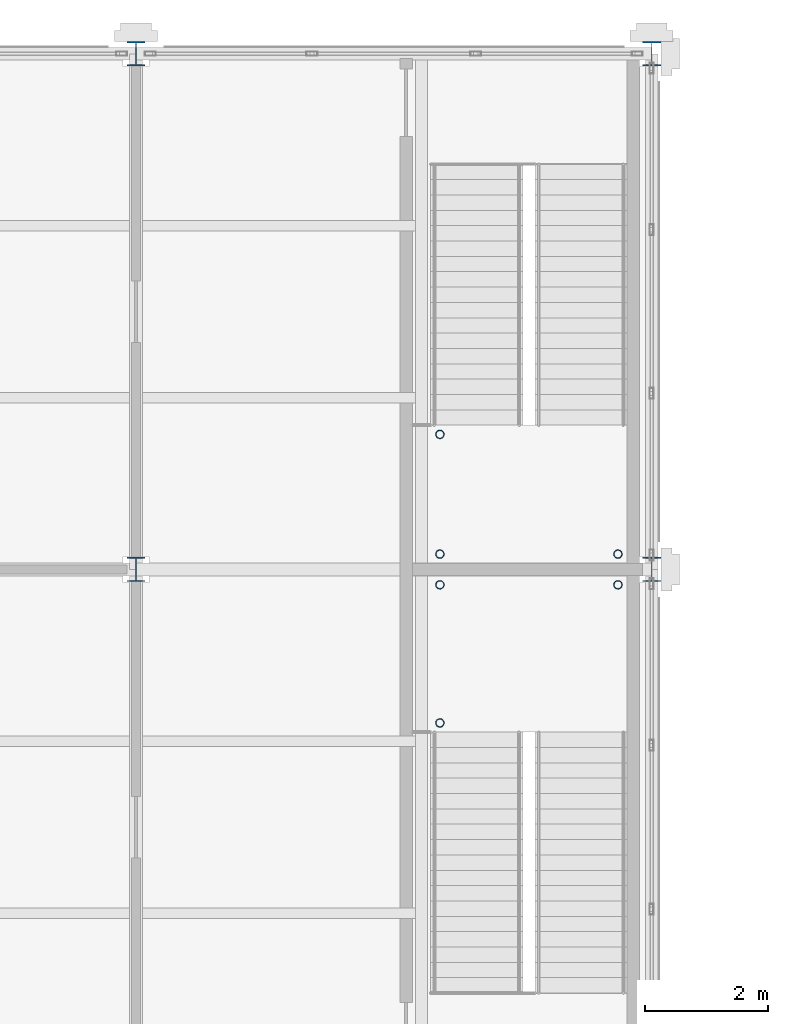
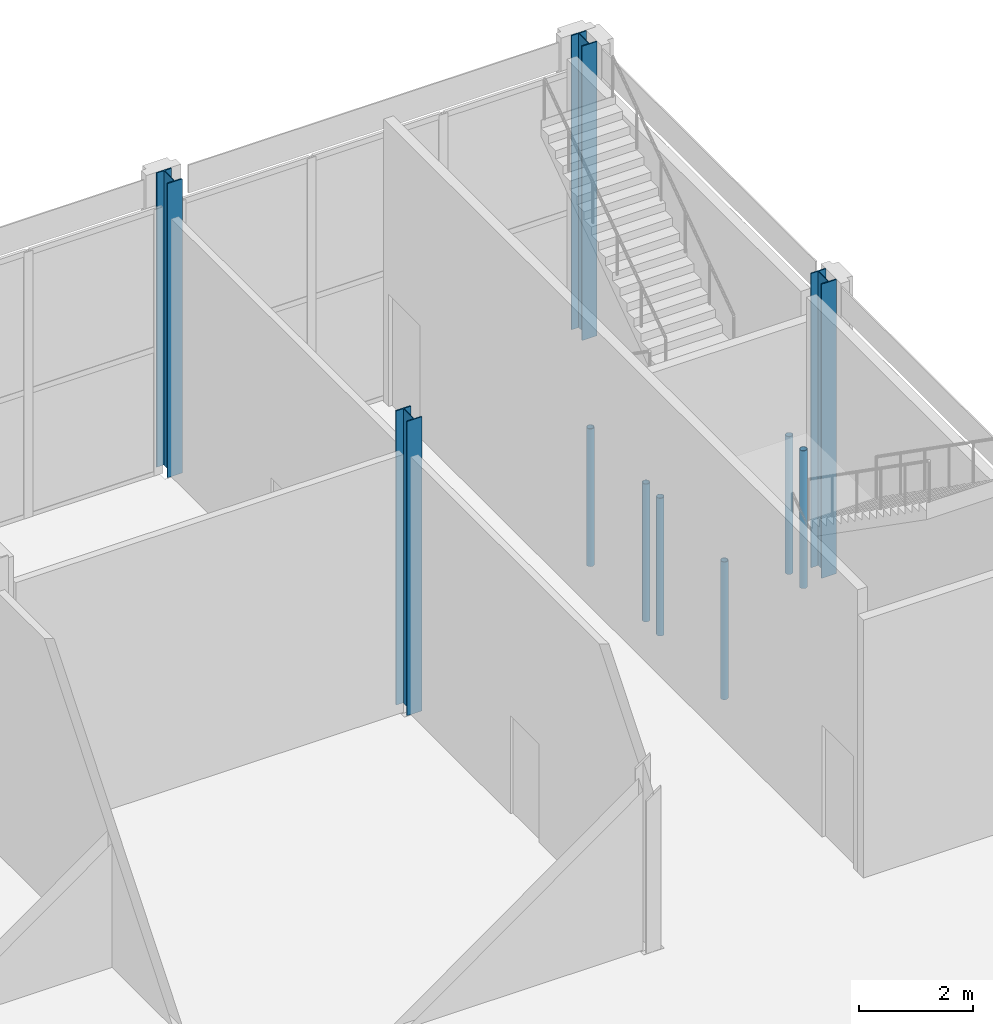
# One storey, part 5 of 77: 10 columns.
"""IFC4 building model written with IfcOpenShell, lengths in metres."""

from ifc_helpers import new_model, si_unit, direction, frame, origin, origin_2d, place, context, subcontext, project, spatial, hollow_circle, i_section, extrude, material, material_profile, profile_set, type_object, element, save


model = new_model("IFC4")

# Units and contexts
model_context = context("Model", 3, precision=1e-05, world=origin(), true_north=direction((0.0, 1.0)))
body_context = subcontext(model_context, "Body", "Model", "MODEL_VIEW")
ifc_project = project(units=[si_unit("LENGTHUNIT", "METRE"), si_unit("AREAUNIT", "SQUARE_METRE"), si_unit("VOLUMEUNIT", "CUBIC_METRE"), si_unit("PLANEANGLEUNIT", "RADIAN"), si_unit("MASSUNIT", "GRAM", prefix="KILO")], contexts=[model_context])

# Site, building, storey
site_placement = place(None, origin())
site = spatial("IfcSite", under=ifc_project, at=site_placement, CompositionType="ELEMENT")
building_placement = place(site_placement, origin())
building = spatial("IfcBuilding", under=site, at=building_placement, Name="Catenary Quay Ferry Terminal", CompositionType="ELEMENT")
storey_placement = place(building_placement, frame((0.0, 0.0, 10.800048828125)))
storey = spatial("IfcBuildingStorey", under=building, at=storey_placement, Name="L02", CompositionType="ELEMENT", Elevation=10.800048828125)

# Columns
ifc_material_1 = material(Name="Steel S355", Category="steel")
ifc_material_profile_1 = material_profile(ifc_material_1, i_section(OverallWidth=0.300048828125, OverallDepth=0.39990234375, WebThickness=0.013427734375, FlangeThickness=0.02392578125, at=origin_2d()), Name="HEB 400")
ifc_profile_set_1 = profile_set([ifc_material_profile_1], Name="Steel S355")
column_type_1 = type_object("IfcColumnType", Name="C2 HEB 400", PredefinedType="COLUMN", material=ifc_profile_set_1)
for number, where, z_axis, x_axis, name in (
    (1, (58.800048828125, 201.60009765625, 0.0), (0.0, 0.0, 1.0), (1.0, 0.0, 0.0), "Column C-H25 L02"),
    (2, (58.800048828125, 210.0, 0.0), (0.0, 0.0, 1.0), (1.0, 0.0, 0.0), "Column C-H26 L02"),
    (3, (67.199951171875, 201.60009765625, 0.0), (0.0, 0.0, 1.0), (1.0, 0.0, 0.0), "Column C-I25 L02"),
    (4, (67.199951171875, 210.0, 0.0), (0.0, 0.0, 1.0), (1.0, 0.0, 0.0), "Column C-I26 L02"),
):
    element("IfcColumn", number, at=place(storey_placement, frame(where, z_axis=z_axis, x_axis=x_axis)), inside=storey, type_object=column_type_1, Name=name, PredefinedType="COLUMN", context=body_context, shape_type="SweptSolid", body=[
        extrude(i_section(OverallWidth=0.300048828125, OverallDepth=0.39990234375, WebThickness=0.013427734375, FlangeThickness=0.02392578125, at=origin_2d()), origin(), (0.0, 0.0, 1.0), 6.300048828125),
    ])
ifc_material_2 = material(Name="Steel S355", Category="steel")
ifc_material_profile_2 = material_profile(ifc_material_2, hollow_circle(Radius=0.06982421875, WallThickness=0.008056640625, at=origin_2d()), Name="CHS 139.7x8")
ifc_profile_set_2 = profile_set([ifc_material_profile_2], Name="Steel S355")
column_type_2 = type_object("IfcColumnType", Name="SP1 CHS 139.7x8", PredefinedType="COLUMN", material=ifc_profile_set_2)
for number, where, z_axis, x_axis, name in (
    (5, (63.75, 201.35009765625, 0.0), (0.0, 0.0, 1.0), (1.0, 0.0, 0.0), "Landing post HS4-L00 1"),
    (6, (66.64990234375, 201.35009765625, 0.0), (0.0, 0.0, 1.0), (1.0, 0.0, 0.0), "Landing post HS4-L00 2"),
    (7, (63.75, 199.10009765625, 0.0), (0.0, 0.0, 1.0), (1.0, 0.0, 0.0), "Landing post HS4-L00 3"),
    (8, (63.75, 201.85009765625, 0.0), (0.0, 0.0, 1.0), (1.0, 0.0, 0.0), "Landing post HS5-L00 1"),
    (9, (66.64990234375, 201.85009765625, 0.0), (0.0, 0.0, 1.0), (1.0, 0.0, 0.0), "Landing post HS5-L00 2"),
    (10, (63.75, 203.800048828125, 0.0), (0.0, 0.0, 1.0), (1.0, 0.0, 0.0), "Landing post HS5-L00 3"),
):
    element("IfcColumn", number, at=place(storey_placement, frame(where, z_axis=z_axis, x_axis=x_axis)), inside=storey, type_object=column_type_2, Name=name, PredefinedType="COLUMN", context=body_context, shape_type="SweptSolid", body=[
        extrude(hollow_circle(Radius=0.06982421875, WallThickness=0.008056640625, at=origin_2d()), origin(), (0.0, 0.0, 1.0), 2.949951171875),
    ])

save(model, "model.ifc")
